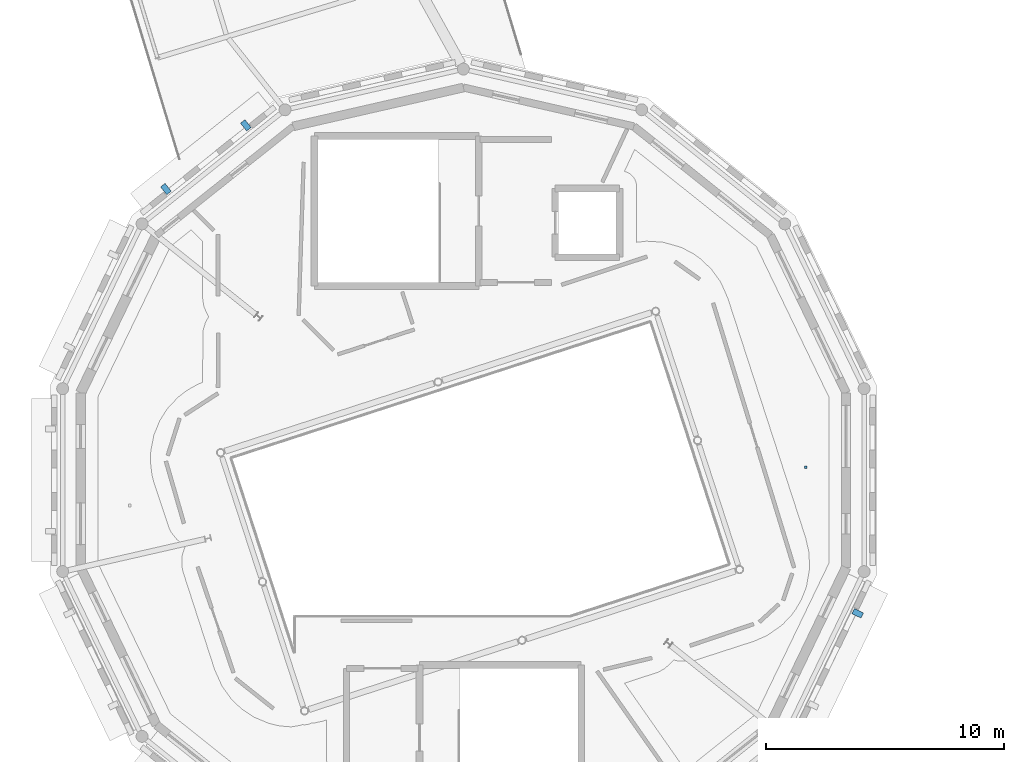
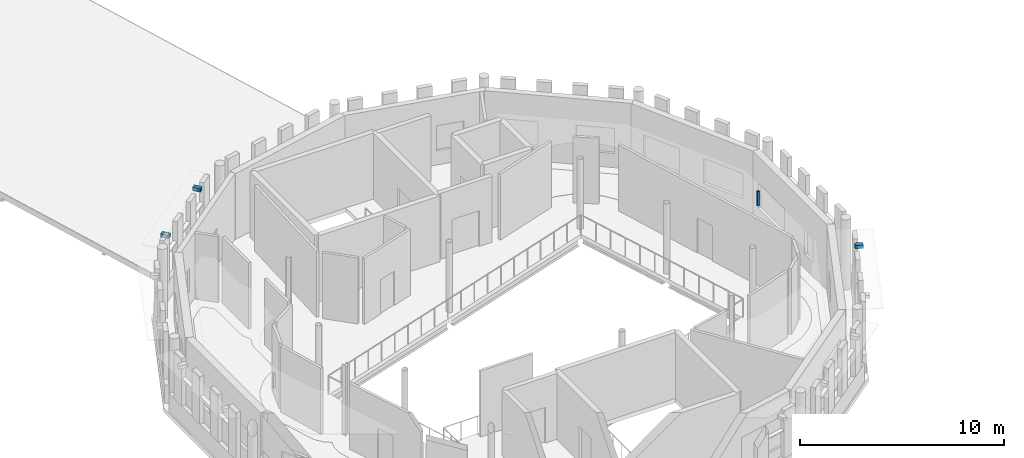
# One storey, part 56 of 68: 4 discrete accessories.
"""IFC4 building model written with IfcOpenShell, lengths in metres."""

from ifc_helpers import new_model, si_unit, direction, frame, origin, origin_2d, place, context, subcontext, project, spatial, rectangle, extrude, material, type_object, element, save


model = new_model("IFC4")

# Units and contexts
model_context = context("Model", 3, precision=1e-05, world=origin(), true_north=direction((0.0, 1.0)))
body_context = subcontext(model_context, "Body", "Model", "MODEL_VIEW")
ifc_project = project(units=[si_unit("LENGTHUNIT", "METRE"), si_unit("AREAUNIT", "SQUARE_METRE"), si_unit("VOLUMEUNIT", "CUBIC_METRE"), si_unit("PLANEANGLEUNIT", "RADIAN"), si_unit("MASSUNIT", "GRAM", prefix="KILO")], contexts=[model_context])

# Site, building, storey
site_placement = place(None, origin())
site = spatial("IfcSite", under=ifc_project, at=site_placement, CompositionType="ELEMENT")
building_placement = place(site_placement, origin())
building = spatial("IfcBuilding", under=site, at=building_placement, Name="Wrenclough Park School", CompositionType="ELEMENT")
storey_placement = place(building_placement, frame((0.0, 0.0, 12.60009765625)))
storey = spatial("IfcBuildingStorey", under=building, at=storey_placement, Name="L03", CompositionType="ELEMENT", Elevation=12.60009765625)

# Discrete accessories
ifc_material_1 = material(Name="Austenitic stainless steel Grade 1.4401", Category="steel")
discrete_accessory_type_1 = type_object("IfcDiscreteAccessoryType", Name="ENV-BRK-01", PredefinedType="BRACKET", material=ifc_material_1)
for number, where, z_axis, x_axis, name in (
    (1, (27.36865234375, 38.388916015625, 3.5400390625), (0.0, 0.0, 1.0), (-0.781831588169, -0.623489669314, 0.0), "Brise-soleil stainless outrigger bracket 0177"),
    (2, (24.015869140625, 35.715087890625, 3.5400390625), (0.0, 0.0, 1.0), (-0.781831588169, -0.623489669314, 0.0), "Brise-soleil stainless outrigger bracket 0178"),
    (3, (53.047607421875, 17.91162109375, 3.5400390625), (0.0, 0.0, 1.0), (0.433872409166, 0.900974324032, 0.0), "Brise-soleil stainless outrigger bracket 0194"),
):
    element("IfcDiscreteAccessory", number, at=place(storey_placement, frame(where, z_axis=z_axis, x_axis=x_axis)), inside=storey, type_object=discrete_accessory_type_1, Name=name, PredefinedType="BRACKET", context=body_context, shape_type="SweptSolid", body=[
        extrude(rectangle(XDim=0.239990234375, YDim=0.419921875, at=origin_2d()), origin(), (0.0, 0.0, 1.0), 0.199951171875),
    ])
ifc_material_2 = material(Name="Galvanised steel acoustic ceiling suspension hanger", Category="steel")
discrete_accessory_type_2 = type_object("IfcDiscreteAccessoryType", Name="INT-BRK-HGR", PredefinedType="BRACKET", material=ifc_material_2)
discrete_accessory_placement = place(storey_placement, frame((50.8681640625, 24.042236328125, 3.08984375), z_axis=(0.0, 0.0, 1.0), x_axis=(1.0, 0.0, 0.0)))
element("IfcDiscreteAccessory", 4, at=discrete_accessory_placement, inside=storey, type_object=discrete_accessory_type_2, Name="Acoustic ceiling hanger bracket 0069", PredefinedType="BRACKET", context=body_context, shape_type="SweptSolid", body=[
    extrude(rectangle(XDim=0.1201171875, YDim=0.1201171875, at=origin_2d()), origin(), (0.0, 0.0, 1.0), 0.889892578125),
])

save(model, "model.ifc")
